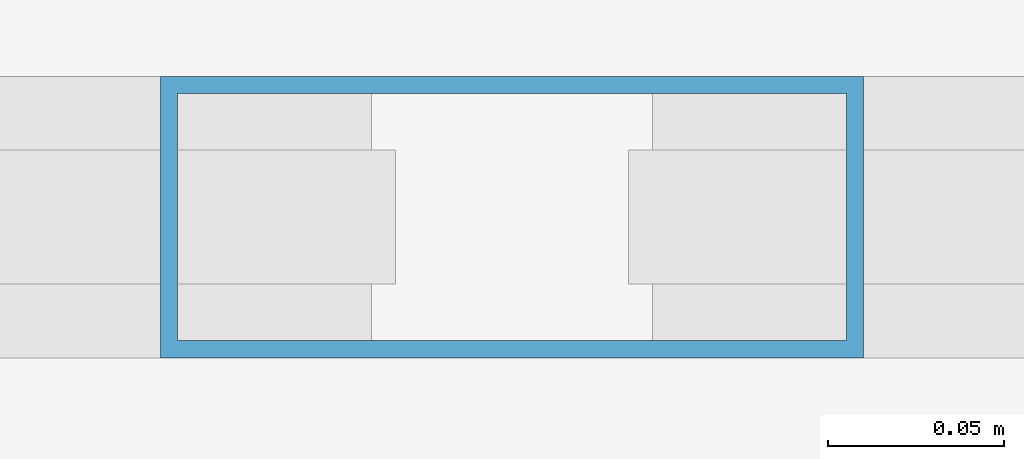
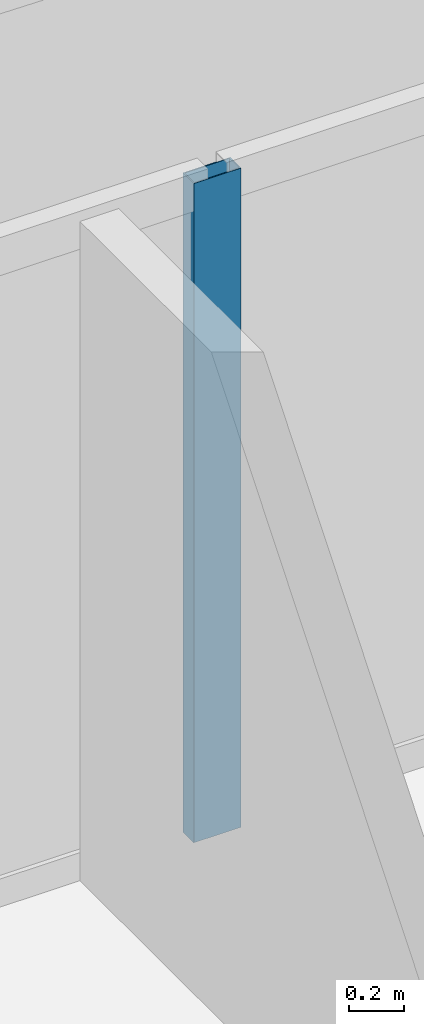
# One storey, part 12 of 21: 1 member, 1 element without a shape of its own.
"""IFC4 building model written with IfcOpenShell, lengths in metres."""

from ifc_helpers import new_model, si_unit, direction, frame, origin, origin_2d, place, context, subcontext, project, spatial, hollow_rectangle, extrude, source, transform, mapped, material, layer, layer_set, material_profile, profile_set, type_object, element, aggregate, save


model = new_model("IFC4")

# Units and contexts
model_context = context("Model", 3, precision=1e-05, world=origin(), true_north=direction((0.0, 1.0)))
body_context = subcontext(model_context, "Body", "Model", "MODEL_VIEW")
ifc_project = project(units=[si_unit("LENGTHUNIT", "METRE"), si_unit("AREAUNIT", "SQUARE_METRE"), si_unit("VOLUMEUNIT", "CUBIC_METRE"), si_unit("PLANEANGLEUNIT", "RADIAN"), si_unit("MASSUNIT", "GRAM", prefix="KILO")], contexts=[model_context])

# Site, building, storey
site_placement = place(None, origin())
site = spatial("IfcSite", under=ifc_project, at=site_placement, CompositionType="ELEMENT")
building_placement = place(site_placement, origin())
building = spatial("IfcBuilding", under=site, at=building_placement, Name="Kolveth Station Tower", CompositionType="ELEMENT")
storey_placement = place(building_placement, frame((0.0, 0.0, 124.699951171875)))
storey = spatial("IfcBuildingStorey", under=building, at=storey_placement, Name="L34", CompositionType="ELEMENT", Elevation=124.699951171875)

# Curtain wall, member
ifc_material_1 = material(Name="Aluminium 6063-T6 and low-E dark glass", Category="aluminium")
ifc_layer = layer(ifc_material_1, 0.18994140625)
ifc_layer_set = layer_set([ifc_layer], Name="Aluminium 6063-T6 and low-E dark glass")
curtain_wall_type = type_object("IfcCurtainWallType", Name="CurtainWall_CW-Z2", PredefinedType="NOTDEFINED", material=ifc_layer_set)
curtain_wall_placement = place(storey_placement, origin())
curtain_wall = element("IfcCurtainWall", 1, at=curtain_wall_placement, inside=storey, type_object=curtain_wall_type, Name="L34 Inner Thermal Curtain Wall 6", PredefinedType="NOTDEFINED")
ifc_material_2 = material(Name="Black anodized aluminium 6063-T6", Category="aluminium")
ifc_material_profile = material_profile(ifc_material_2, hollow_rectangle(XDim=0.080078125, YDim=0.199951171875, WallThickness=0.0048828125, at=origin_2d()), Name="ALU-80x200x5")
ifc_profile_set = profile_set([ifc_material_profile], Name="Black anodized aluminium 6063-T6")
member_type = type_object("IfcMemberType", Name="Mullion_ML2", PredefinedType="MULLION", material=ifc_profile_set)
shared_shape = source(origin(), body_context, "Body", "SweptSolid", [
    extrude(hollow_rectangle(XDim=0.080078125, YDim=0.199951171875, WallThickness=0.0048828125, at=origin_2d()), origin(), (0.0, 0.0, 1.0), 2.949951171875),
])
member_placement = place(storey_placement, frame((23.5, 35.179931640625, 0.0), z_axis=(0.0, 0.0, 1.0), x_axis=(0.0, -1.0, 0.0)))
member = element("IfcMember", 2, at=member_placement, type_object=member_type, Name="CW-Z2 mullion 2", PredefinedType="MULLION", context=body_context, shape_type="MappedRepresentation", body=[
    mapped(shared_shape, transform((0.0, 0.0, 0.0), x_axis=(1.0, 0.0, 0.0), y_axis=(0.0, 1.0, 0.0), z_axis=(0.0, 0.0, 1.0), scale=1.0)),
])
aggregate(curtain_wall, [member])

save(model, "model.ifc")
